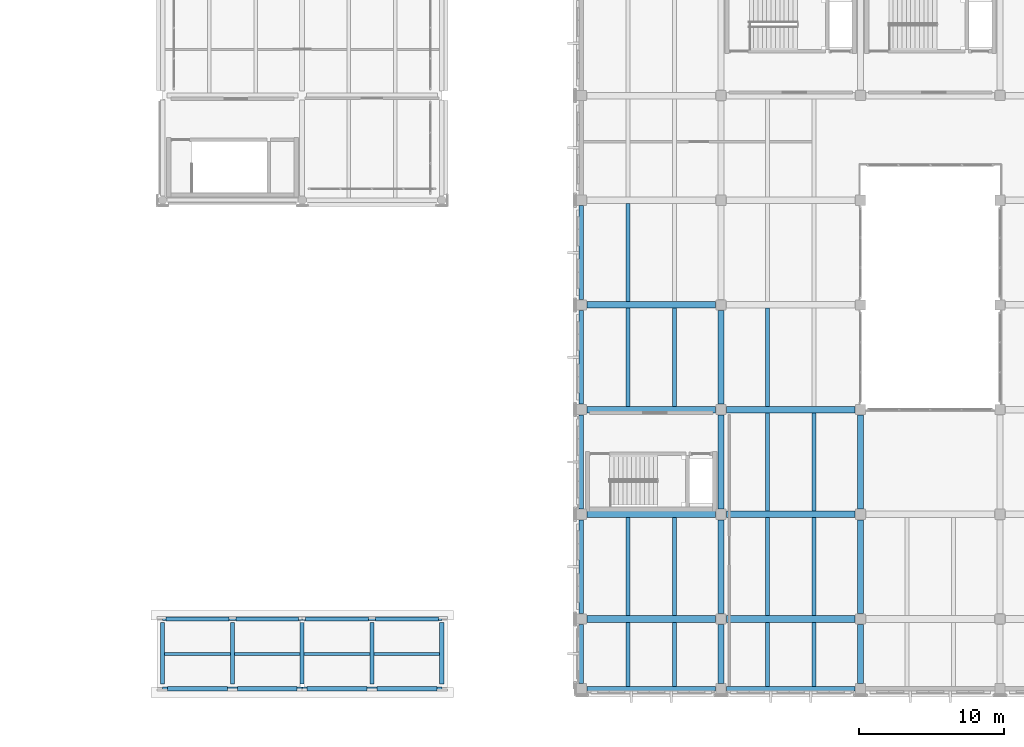
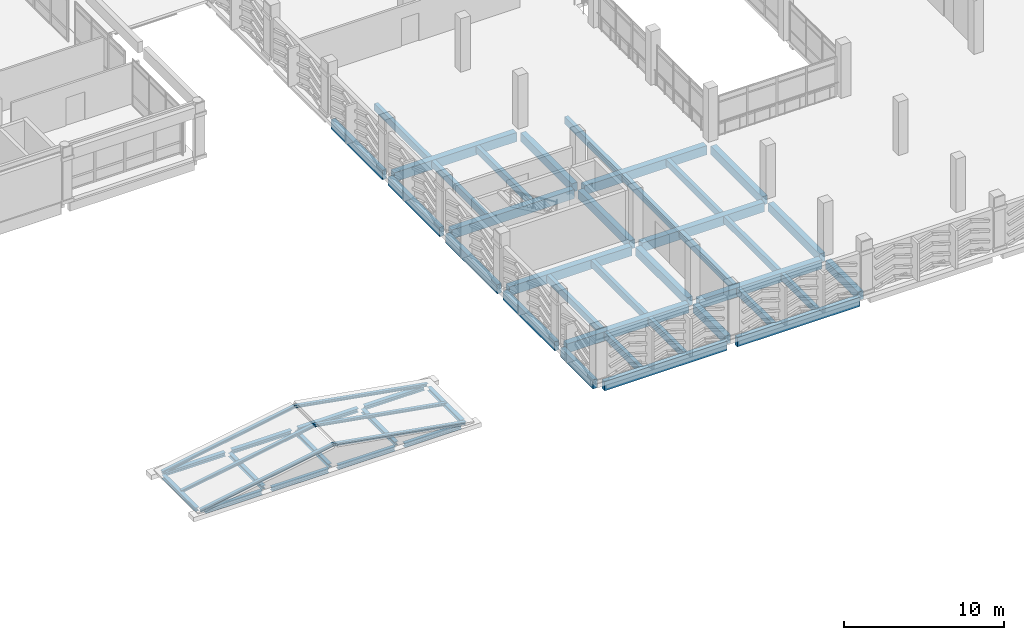
# One storey, part 56 of 180: 48 beams, 6 members.
"""IFC4 building model written with IfcOpenShell, lengths in metres."""

from ifc_helpers import new_model, si_unit, direction, frame, origin, origin_2d, place, context, subcontext, project, spatial, rectangle, i_section, extrude, material, material_profile, profile_set, type_object, element, save


model = new_model("IFC4")

# Units and contexts
model_context = context("Model", 3, precision=1e-05, world=origin(), true_north=direction((0.0, 1.0)))
body_context = subcontext(model_context, "Body", "Model", "MODEL_VIEW")
ifc_project = project(units=[si_unit("LENGTHUNIT", "METRE"), si_unit("AREAUNIT", "SQUARE_METRE"), si_unit("VOLUMEUNIT", "CUBIC_METRE"), si_unit("PLANEANGLEUNIT", "RADIAN"), si_unit("MASSUNIT", "GRAM", prefix="KILO")], contexts=[model_context])

# Site, building, storey
site_placement = place(None, origin())
site = spatial("IfcSite", under=ifc_project, at=site_placement, CompositionType="ELEMENT")
building_placement = place(site_placement, origin())
building = spatial("IfcBuilding", under=site, at=building_placement, Name="Asteropetra Specialist Clinic", CompositionType="ELEMENT")
storey_placement = place(building_placement, frame((0.0, 0.0, 4.419921875)))
storey = spatial("IfcBuildingStorey", under=building, at=storey_placement, Name="L01", CompositionType="ELEMENT", Elevation=4.419921875)

# Beams
ifc_material_1 = material(Name="Concrete C35/45", Category="concrete")
ifc_material_profile_1 = material_profile(ifc_material_1, rectangle(XDim=0.39990234375, YDim=0.64990234375, at=origin_2d()), Name="RCB 400x650")
ifc_profile_set_1 = profile_set([ifc_material_profile_1], Name="Concrete C35/45")
beam_type_1 = type_object("IfcBeamType", Name="BM-RC400x650", PredefinedType="BEAM", material=ifc_profile_set_1)
for number, where, z_axis, x_axis, name in (
    (1, (115.199951171875, 0.375, -0.625), (0.0, 1.0, 0.0), (-1.0, 0.0, 0.0), "Beam BBM07-0442"),
    (2, (124.800048828125, 0.375, -0.625), (0.0, 1.0, 0.0), (-1.0, 0.0, 0.0), "Beam BBM07-0443"),
):
    element("IfcBeam", number, at=place(storey_placement, frame(where, z_axis=z_axis, x_axis=x_axis)), inside=storey, type_object=beam_type_1, Name=name, PredefinedType="BEAM", context=body_context, shape_type="SweptSolid", body=[
        extrude(rectangle(XDim=0.39990234375, YDim=0.64990234375, at=origin_2d()), origin(), (0.0, 0.0, 1.0), 4.050048828125),
    ])
for number, where, z_axis, x_axis, name in (
    (3, (115.199951171875, 5.175048828125, -0.625), (0.0, 1.0, 0.0), (-1.0, 0.0, 0.0), "Beam BBM07-0458"),
    (4, (124.800048828125, 5.175048828125, -0.625), (0.0, 1.0, 0.0), (-1.0, 0.0, 0.0), "Beam BBM07-0459"),
    (5, (115.199951171875, 12.375, -0.625), (0.0, 1.0, 0.0), (-1.0, 0.0, 0.0), "Beam BBM07-0474"),
    (6, (124.800048828125, 12.375, -0.625), (0.0, 1.0, 0.0), (-1.0, 0.0, 0.0), "Beam BBM07-0475"),
    (7, (115.199951171875, 19.574951171875, -0.625), (0.0, 1.0, 0.0), (-1.0, 0.0, 0.0), "Beam BBM07-0486"),
):
    element("IfcBeam", number, at=place(storey_placement, frame(where, z_axis=z_axis, x_axis=x_axis)), inside=storey, type_object=beam_type_1, Name=name, PredefinedType="BEAM", context=body_context, shape_type="SweptSolid", body=[
        extrude(rectangle(XDim=0.39990234375, YDim=0.64990234375, at=origin_2d()), origin(), (0.0, 0.0, 1.0), 6.449951171875),
    ])
ifc_material_2 = material(Name="Concrete C35/45", Category="concrete")
ifc_material_profile_2 = material_profile(ifc_material_2, rectangle(XDim=0.449951171875, YDim=0.699951171875, at=origin_2d()), Name="RCB 450x700")
ifc_profile_set_2 = profile_set([ifc_material_profile_2], Name="Concrete C35/45")
beam_type_2 = type_object("IfcBeamType", Name="BM-RC450x700", PredefinedType="BEAM", material=ifc_profile_set_2)
beam_1_placement = place(storey_placement, frame((105.97509765625, 4.800048828125, -0.64990234375), z_axis=(1.0, 0.0, 0.0), x_axis=(0.0, 1.0, 0.0)))
element("IfcBeam", 8, at=beam_1_placement, inside=storey, type_object=beam_type_2, Name="Beam BBM05-0399", PredefinedType="BEAM", context=body_context, shape_type="SweptSolid", body=[
    extrude(rectangle(XDim=0.449951171875, YDim=0.699951171875, at=origin_2d()), origin(), (0.0, 0.0, 1.0), 8.849853515625),
])
beam_2_placement = place(storey_placement, frame((115.574951171875, 4.800048828125, -0.64990234375), z_axis=(1.0, 0.0, 0.0), x_axis=(0.0, 1.0, 0.0)))
element("IfcBeam", 9, at=beam_2_placement, inside=storey, type_object=beam_type_2, Name="Beam BBM05-0400", PredefinedType="BEAM", context=body_context, shape_type="SweptSolid", body=[
    extrude(rectangle(XDim=0.449951171875, YDim=0.699951171875, at=origin_2d()), origin(), (0.0, 0.0, 1.0), 8.85009765625),
])
beam_3_placement = place(storey_placement, frame((105.97509765625, 12.0, -0.64990234375), z_axis=(1.0, 0.0, 0.0), x_axis=(0.0, 1.0, 0.0)))
element("IfcBeam", 10, at=beam_3_placement, inside=storey, type_object=beam_type_2, Name="Beam BBM05-0404", PredefinedType="BEAM", context=body_context, shape_type="SweptSolid", body=[
    extrude(rectangle(XDim=0.449951171875, YDim=0.699951171875, at=origin_2d()), origin(), (0.0, 0.0, 1.0), 8.849853515625),
])
beam_4_placement = place(storey_placement, frame((115.574951171875, 12.0, -0.64990234375), z_axis=(1.0, 0.0, 0.0), x_axis=(0.0, 1.0, 0.0)))
element("IfcBeam", 11, at=beam_4_placement, inside=storey, type_object=beam_type_2, Name="Beam BBM05-0405", PredefinedType="BEAM", context=body_context, shape_type="SweptSolid", body=[
    extrude(rectangle(XDim=0.449951171875, YDim=0.699951171875, at=origin_2d()), origin(), (0.0, 0.0, 1.0), 8.85009765625),
])
beam_5_placement = place(storey_placement, frame((105.97509765625, 19.199951171875, -0.64990234375), z_axis=(1.0, 0.0, 0.0), x_axis=(0.0, 1.0, 0.0)))
element("IfcBeam", 12, at=beam_5_placement, inside=storey, type_object=beam_type_2, Name="Beam BBM05-0409", PredefinedType="BEAM", context=body_context, shape_type="SweptSolid", body=[
    extrude(rectangle(XDim=0.449951171875, YDim=0.699951171875, at=origin_2d()), origin(), (0.0, 0.0, 1.0), 8.849853515625),
])
beam_6_placement = place(storey_placement, frame((115.574951171875, 19.199951171875, -0.64990234375), z_axis=(1.0, 0.0, 0.0), x_axis=(0.0, 1.0, 0.0)))
element("IfcBeam", 13, at=beam_6_placement, inside=storey, type_object=beam_type_2, Name="Beam BBM05-0410", PredefinedType="BEAM", context=body_context, shape_type="SweptSolid", body=[
    extrude(rectangle(XDim=0.449951171875, YDim=0.699951171875, at=origin_2d()), origin(), (0.0, 0.0, 1.0), 8.85009765625),
])
beam_7_placement = place(storey_placement, frame((105.97509765625, 26.39990234375, -0.64990234375), z_axis=(1.0, 0.0, 0.0), x_axis=(0.0, 1.0, 0.0)))
element("IfcBeam", 14, at=beam_7_placement, inside=storey, type_object=beam_type_2, Name="Beam BBM05-0413", PredefinedType="BEAM", context=body_context, shape_type="SweptSolid", body=[
    extrude(rectangle(XDim=0.449951171875, YDim=0.699951171875, at=origin_2d()), origin(), (0.0, 0.0, 1.0), 8.849853515625),
])
ifc_material_3 = material(Name="Steel S355", Category="steel")
ifc_material_profile_3 = material_profile(ifc_material_3, i_section(OverallWidth=0.280029296875, OverallDepth=0.27001953125, WebThickness=0.008056640625, FlangeThickness=0.012939453125, FilletRadius=0.02392578125, at=origin_2d()), Name="HEA 280")
ifc_profile_set_3 = profile_set([ifc_material_profile_3], Name="Steel S355")
beam_type_3 = type_object("IfcBeamType", Name="BM-STL-HEA280", PredefinedType="BEAM", material=ifc_profile_set_3)
for number, where, z_axis, x_axis, name in (
    (15, (76.800048828125, 0.340087890625, -0.14990234375), (0.0, 1.0, 0.0), (-1.0, 0.0, 0.0), "Portico Cross Tie CT-768"),
    (16, (81.60009765625, 0.340087890625, -0.14990234375), (0.0, 1.0, 0.0), (-1.0, 0.0, 0.0), "Portico Cross Tie CT-816"),
    (17, (86.39990234375, 0.340087890625, -0.14990234375), (0.0, 1.0, 0.0), (-1.0, 0.0, 0.0), "Portico Cross Tie CT-864"),
    (18, (91.199951171875, 0.340087890625, -0.14990234375), (0.0, 1.0, 0.0), (-1.0, 0.0, 0.0), "Portico Cross Tie CT-912"),
    (19, (96.0, 0.340087890625, -0.14990234375), (0.0, 1.0, 0.0), (-1.0, 0.0, 0.0), "Portico Cross Tie CT-960"),
):
    element("IfcBeam", number, at=place(storey_placement, frame(where, z_axis=z_axis, x_axis=x_axis)), inside=storey, type_object=beam_type_3, Name=name, PredefinedType="BEAM", context=body_context, shape_type="SweptSolid", body=[
        extrude(i_section(OverallWidth=0.280029296875, OverallDepth=0.27001953125, WebThickness=0.008056640625, FlangeThickness=0.012939453125, FilletRadius=0.02392578125, at=origin_2d()), origin(), (0.0, 0.0, 1.0), 4.219970703125),
    ])
ifc_material_4 = material(Name="Steel S355", Category="steel")
ifc_material_profile_4 = material_profile(ifc_material_4, i_section(OverallWidth=0.300048828125, OverallDepth=0.2900390625, WebThickness=0.008544921875, FlangeThickness=0.013916015625, FilletRadius=0.027099609375, at=origin_2d()), Name="HEA 300")
ifc_profile_set_4 = profile_set([ifc_material_profile_4], Name="Steel S355")
beam_type_4 = type_object("IfcBeamType", Name="BM-STL-HEA300", PredefinedType="BEAM", material=ifc_profile_set_4)
beam_8_placement = place(storey_placement, frame((77.139892578125, 0.0, -0.14990234375), z_axis=(1.0, 0.0, 0.0), x_axis=(0.0, 1.0, 0.0)))
element("IfcBeam", 20, at=beam_8_placement, inside=storey, type_object=beam_type_4, Name="Portico Architrave Girder CB-76-0", PredefinedType="BEAM", context=body_context, shape_type="SweptSolid", body=[
    extrude(i_section(OverallWidth=0.300048828125, OverallDepth=0.2900390625, WebThickness=0.008544921875, FlangeThickness=0.013916015625, FilletRadius=0.027099609375, at=origin_2d()), origin(), (0.0, 0.0, 1.0), 4.1201171875),
])
beam_9_placement = place(storey_placement, frame((77.0400390625, 4.800048828125, -0.14990234375), z_axis=(1.0, 0.0, 0.0), x_axis=(0.0, 1.0, 0.0)))
element("IfcBeam", 21, at=beam_9_placement, inside=storey, type_object=beam_type_4, Name="Portico Architrave Girder CB-76-4", PredefinedType="BEAM", context=body_context, shape_type="SweptSolid", body=[
    extrude(i_section(OverallWidth=0.300048828125, OverallDepth=0.2900390625, WebThickness=0.008544921875, FlangeThickness=0.013916015625, FilletRadius=0.027099609375, at=origin_2d()), origin(), (0.0, 0.0, 1.0), 4.320068359375),
])
beam_10_placement = place(storey_placement, frame((81.93994140625, 0.0, -0.14990234375), z_axis=(1.0, 0.0, 0.0), x_axis=(0.0, 1.0, 0.0)))
element("IfcBeam", 22, at=beam_10_placement, inside=storey, type_object=beam_type_4, Name="Portico Architrave Girder CB-81-0", PredefinedType="BEAM", context=body_context, shape_type="SweptSolid", body=[
    extrude(i_section(OverallWidth=0.300048828125, OverallDepth=0.2900390625, WebThickness=0.008544921875, FlangeThickness=0.013916015625, FilletRadius=0.027099609375, at=origin_2d()), origin(), (0.0, 0.0, 1.0), 4.1201171875),
])
beam_11_placement = place(storey_placement, frame((81.840087890625, 4.800048828125, -0.14990234375), z_axis=(1.0, 0.0, 0.0), x_axis=(0.0, 1.0, 0.0)))
element("IfcBeam", 23, at=beam_11_placement, inside=storey, type_object=beam_type_4, Name="Portico Architrave Girder CB-81-4", PredefinedType="BEAM", context=body_context, shape_type="SweptSolid", body=[
    extrude(i_section(OverallWidth=0.300048828125, OverallDepth=0.2900390625, WebThickness=0.008544921875, FlangeThickness=0.013916015625, FilletRadius=0.027099609375, at=origin_2d()), origin(), (0.0, 0.0, 1.0), 4.31982421875),
])
beam_12_placement = place(storey_placement, frame((86.739990234375, 0.0, -0.14990234375), z_axis=(1.0, 0.0, 0.0), x_axis=(0.0, 1.0, 0.0)))
element("IfcBeam", 24, at=beam_12_placement, inside=storey, type_object=beam_type_4, Name="Portico Architrave Girder CB-86-0", PredefinedType="BEAM", context=body_context, shape_type="SweptSolid", body=[
    extrude(i_section(OverallWidth=0.300048828125, OverallDepth=0.2900390625, WebThickness=0.008544921875, FlangeThickness=0.013916015625, FilletRadius=0.027099609375, at=origin_2d()), origin(), (0.0, 0.0, 1.0), 4.1201171875),
])
beam_13_placement = place(storey_placement, frame((86.639892578125, 4.800048828125, -0.14990234375), z_axis=(1.0, 0.0, 0.0), x_axis=(0.0, 1.0, 0.0)))
element("IfcBeam", 25, at=beam_13_placement, inside=storey, type_object=beam_type_4, Name="Portico Architrave Girder CB-86-4", PredefinedType="BEAM", context=body_context, shape_type="SweptSolid", body=[
    extrude(i_section(OverallWidth=0.300048828125, OverallDepth=0.2900390625, WebThickness=0.008544921875, FlangeThickness=0.013916015625, FilletRadius=0.027099609375, at=origin_2d()), origin(), (0.0, 0.0, 1.0), 4.320068359375),
])
beam_14_placement = place(storey_placement, frame((91.5400390625, 0.0, -0.14990234375), z_axis=(1.0, 0.0, 0.0), x_axis=(0.0, 1.0, 0.0)))
element("IfcBeam", 26, at=beam_14_placement, inside=storey, type_object=beam_type_4, Name="Portico Architrave Girder CB-91-0", PredefinedType="BEAM", context=body_context, shape_type="SweptSolid", body=[
    extrude(i_section(OverallWidth=0.300048828125, OverallDepth=0.2900390625, WebThickness=0.008544921875, FlangeThickness=0.013916015625, FilletRadius=0.027099609375, at=origin_2d()), origin(), (0.0, 0.0, 1.0), 4.119873046875),
])
beam_15_placement = place(storey_placement, frame((91.43994140625, 4.800048828125, -0.14990234375), z_axis=(1.0, 0.0, 0.0), x_axis=(0.0, 1.0, 0.0)))
element("IfcBeam", 27, at=beam_15_placement, inside=storey, type_object=beam_type_4, Name="Portico Architrave Girder CB-91-4", PredefinedType="BEAM", context=body_context, shape_type="SweptSolid", body=[
    extrude(i_section(OverallWidth=0.300048828125, OverallDepth=0.2900390625, WebThickness=0.008544921875, FlangeThickness=0.013916015625, FilletRadius=0.027099609375, at=origin_2d()), origin(), (0.0, 0.0, 1.0), 4.320068359375),
])
ifc_material_5 = material(Name="Concrete C35/45", Category="concrete")
ifc_material_profile_5 = material_profile(ifc_material_5, rectangle(XDim=0.280029296875, YDim=0.52001953125, at=origin_2d()), Name="RCJ 280x520")
ifc_profile_set_5 = profile_set([ifc_material_profile_5], Name="Concrete C35/45")
beam_type_5 = type_object("IfcBeamType", Name="JST-RC280x520", PredefinedType="JOIST", material=ifc_profile_set_5)
for number, where, z_axis, x_axis, name in (
    (28, (108.800048828125, 0.159912109375, -0.559814453125), (0.0, 1.0, 0.0), (-1.0, 0.0, 0.0), "Joist JJST01-0447"),
    (29, (112.0, 0.159912109375, -0.559814453125), (0.0, 1.0, 0.0), (-1.0, 0.0, 0.0), "Joist JJST01-0448"),
    (30, (118.39990234375, 0.159912109375, -0.559814453125), (0.0, 1.0, 0.0), (-1.0, 0.0, 0.0), "Joist JJST01-0449"),
    (31, (121.60009765625, 0.159912109375, -0.559814453125), (0.0, 1.0, 0.0), (-1.0, 0.0, 0.0), "Joist JJST01-0450"),
):
    element("IfcBeam", number, at=place(storey_placement, frame(where, z_axis=z_axis, x_axis=x_axis)), inside=storey, type_object=beam_type_5, Name=name, PredefinedType="JOIST", context=body_context, shape_type="SweptSolid", body=[
        extrude(rectangle(XDim=0.280029296875, YDim=0.52001953125, at=origin_2d()), origin(), (0.0, 0.0, 1.0), 4.4150390625),
    ])
for number, where, z_axis, x_axis, name in (
    (32, (108.800048828125, 5.02490234375, -0.559814453125), (0.0, 1.0, 0.0), (-1.0, 0.0, 0.0), "Joist JJST01-0463"),
    (33, (112.0, 5.02490234375, -0.559814453125), (0.0, 1.0, 0.0), (-1.0, 0.0, 0.0), "Joist JJST01-0464"),
    (34, (118.39990234375, 5.02490234375, -0.559814453125), (0.0, 1.0, 0.0), (-1.0, 0.0, 0.0), "Joist JJST01-0465"),
    (35, (121.60009765625, 5.02490234375, -0.559814453125), (0.0, 1.0, 0.0), (-1.0, 0.0, 0.0), "Joist JJST01-0466"),
    (36, (118.39990234375, 12.22509765625, -0.559814453125), (0.0, 1.0, 0.0), (-1.0, 0.0, 0.0), "Joist JJST01-0479"),
    (37, (121.60009765625, 12.22509765625, -0.559814453125), (0.0, 1.0, 0.0), (-1.0, 0.0, 0.0), "Joist JJST01-0480"),
    (38, (108.800048828125, 19.425048828125, -0.559814453125), (0.0, 1.0, 0.0), (-1.0, 0.0, 0.0), "Joist JJST01-0489"),
    (39, (112.0, 19.425048828125, -0.559814453125), (0.0, 1.0, 0.0), (-1.0, 0.0, 0.0), "Joist JJST01-0490"),
    (40, (118.39990234375, 19.425048828125, -0.559814453125), (0.0, 1.0, 0.0), (-1.0, 0.0, 0.0), "Joist JJST01-0491"),
    (41, (108.800048828125, 26.625, -0.559814453125), (0.0, 1.0, 0.0), (-1.0, 0.0, 0.0), "Joist JJST01-0501"),
):
    element("IfcBeam", number, at=place(storey_placement, frame(where, z_axis=z_axis, x_axis=x_axis)), inside=storey, type_object=beam_type_5, Name=name, PredefinedType="JOIST", context=body_context, shape_type="SweptSolid", body=[
        extrude(rectangle(XDim=0.280029296875, YDim=0.52001953125, at=origin_2d()), origin(), (0.0, 0.0, 1.0), 6.75),
    ])
ifc_material_6 = material(Name="Concrete C35/45", Category="concrete")
ifc_material_profile_6 = material_profile(ifc_material_6, rectangle(XDim=0.320068359375, YDim=0.699951171875, at=origin_2d()), Name="RCS 320x700")
ifc_profile_set_6 = profile_set([ifc_material_profile_6], Name="Concrete C35/45")
beam_type_6 = type_object("IfcBeamType", Name="SPN-RC320x700", PredefinedType="SPANDREL", material=ifc_profile_set_6)
beam_16_placement = place(storey_placement, frame((105.97509765625, 0.0, -0.64990234375), z_axis=(1.0, 0.0, 0.0), x_axis=(0.0, 1.0, 0.0)))
element("IfcBeam", 42, at=beam_16_placement, inside=storey, type_object=beam_type_6, Name="Beam BSPN02-0394", PredefinedType="SPANDREL", context=body_context, shape_type="SweptSolid", body=[
    extrude(rectangle(XDim=0.320068359375, YDim=0.699951171875, at=origin_2d()), origin(), (0.0, 0.0, 1.0), 8.849853515625),
])
beam_17_placement = place(storey_placement, frame((115.574951171875, 0.0, -0.64990234375), z_axis=(1.0, 0.0, 0.0), x_axis=(0.0, 1.0, 0.0)))
element("IfcBeam", 43, at=beam_17_placement, inside=storey, type_object=beam_type_6, Name="Beam BSPN02-0395", PredefinedType="SPANDREL", context=body_context, shape_type="SweptSolid", body=[
    extrude(rectangle(XDim=0.320068359375, YDim=0.699951171875, at=origin_2d()), origin(), (0.0, 0.0, 1.0), 8.85009765625),
])
beam_18_placement = place(storey_placement, frame((105.60009765625, 0.375, -0.64990234375), z_axis=(0.0, 1.0, 0.0), x_axis=(-1.0, 0.0, 0.0)))
element("IfcBeam", 44, at=beam_18_placement, inside=storey, type_object=beam_type_6, Name="Beam BSPN02-0441", PredefinedType="SPANDREL", context=body_context, shape_type="SweptSolid", body=[
    extrude(rectangle(XDim=0.320068359375, YDim=0.699951171875, at=origin_2d()), origin(), (0.0, 0.0, 1.0), 4.050048828125),
])
for number, where, z_axis, x_axis, name in (
    (45, (105.60009765625, 5.175048828125, -0.64990234375), (0.0, 1.0, 0.0), (-1.0, 0.0, 0.0), "Beam BSPN02-0457"),
    (46, (105.60009765625, 12.375, -0.64990234375), (0.0, 1.0, 0.0), (-1.0, 0.0, 0.0), "Beam BSPN02-0473"),
    (47, (105.60009765625, 19.574951171875, -0.64990234375), (0.0, 1.0, 0.0), (-1.0, 0.0, 0.0), "Beam BSPN02-0485"),
):
    element("IfcBeam", number, at=place(storey_placement, frame(where, z_axis=z_axis, x_axis=x_axis)), inside=storey, type_object=beam_type_6, Name=name, PredefinedType="SPANDREL", context=body_context, shape_type="SweptSolid", body=[
        extrude(rectangle(XDim=0.320068359375, YDim=0.699951171875, at=origin_2d()), origin(), (0.0, 0.0, 1.0), 6.449951171875),
    ])
beam_19_placement = place(storey_placement, frame((105.60009765625, 26.77490234375, -0.64990234375), z_axis=(0.0, 1.0, 0.0), x_axis=(-1.0, 0.0, 0.0)))
element("IfcBeam", 48, at=beam_19_placement, inside=storey, type_object=beam_type_6, Name="Beam BSPN02-0497", PredefinedType="SPANDREL", context=body_context, shape_type="SweptSolid", body=[
    extrude(rectangle(XDim=0.320068359375, YDim=0.699951171875, at=origin_2d()), origin(), (0.0, 0.0, 1.0), 6.4501953125),
])

# Members
ifc_material_7 = material(Name="Steel S355", Category="steel")
ifc_material_profile_7 = material_profile(ifc_material_7, i_section(OverallWidth=0.219970703125, OverallDepth=0.2099609375, WebThickness=0.007080078125, FlangeThickness=0.010986328125, FilletRadius=0.01806640625, at=origin_2d()), Name="HEA 220")
ifc_profile_set_7 = profile_set([ifc_material_profile_7], Name="Steel S355")
member_type = type_object("IfcMemberType", Name="TR-RAF-HEA220", PredefinedType="RAFTER", material=ifc_profile_set_7)
member_1_placement = place(storey_placement, frame((76.800048828125, 0.0, 0.0), z_axis=(0.985026957697, 0.0, 0.1724003846), x_axis=(0.0, 1.0, 0.0)))
element("IfcMember", 49, at=member_1_placement, inside=storey, type_object=member_type, Name="Portico West Rafter CRW-0", PredefinedType="RAFTER", context=body_context, shape_type="SweptSolid", body=[
    extrude(i_section(OverallWidth=0.219970703125, OverallDepth=0.2099609375, WebThickness=0.007080078125, FlangeThickness=0.010986328125, FilletRadius=0.01806640625, at=origin_2d()), origin(), (0.0, 0.0, 1.0), 9.745849609375),
])
member_2_placement = place(storey_placement, frame((86.39990234375, 0.0, 1.68017578125), z_axis=(0.98502770223, 0.0, -0.172396130582), x_axis=(0.0, 1.0, 0.0)))
element("IfcMember", 50, at=member_2_placement, inside=storey, type_object=member_type, Name="Portico East Rafter CRE-0", PredefinedType="RAFTER", context=body_context, shape_type="SweptSolid", body=[
    extrude(i_section(OverallWidth=0.219970703125, OverallDepth=0.2099609375, WebThickness=0.007080078125, FlangeThickness=0.010986328125, FilletRadius=0.01806640625, at=origin_2d()), origin(), (0.0, 0.0, 1.0), 9.74609375),
])
member_3_placement = place(storey_placement, frame((76.800048828125, 2.39990234375, 0.0), z_axis=(0.985026957697, 0.0, 0.1724003846), x_axis=(0.0, 1.0, 0.0)))
element("IfcMember", 51, at=member_3_placement, inside=storey, type_object=member_type, Name="Portico West Rafter CRW-24", PredefinedType="RAFTER", context=body_context, shape_type="SweptSolid", body=[
    extrude(i_section(OverallWidth=0.219970703125, OverallDepth=0.2099609375, WebThickness=0.007080078125, FlangeThickness=0.010986328125, FilletRadius=0.01806640625, at=origin_2d()), origin(), (0.0, 0.0, 1.0), 9.745849609375),
])
member_4_placement = place(storey_placement, frame((86.39990234375, 2.39990234375, 1.68017578125), z_axis=(0.98502770223, 0.0, -0.172396130582), x_axis=(0.0, 1.0, 0.0)))
element("IfcMember", 52, at=member_4_placement, inside=storey, type_object=member_type, Name="Portico East Rafter CRE-24", PredefinedType="RAFTER", context=body_context, shape_type="SweptSolid", body=[
    extrude(i_section(OverallWidth=0.219970703125, OverallDepth=0.2099609375, WebThickness=0.007080078125, FlangeThickness=0.010986328125, FilletRadius=0.01806640625, at=origin_2d()), origin(), (0.0, 0.0, 1.0), 9.74609375),
])
member_5_placement = place(storey_placement, frame((76.800048828125, 4.800048828125, 0.0), z_axis=(0.985026957697, 0.0, 0.1724003846), x_axis=(0.0, 1.0, 0.0)))
element("IfcMember", 53, at=member_5_placement, inside=storey, type_object=member_type, Name="Portico West Rafter CRW-48", PredefinedType="RAFTER", context=body_context, shape_type="SweptSolid", body=[
    extrude(i_section(OverallWidth=0.219970703125, OverallDepth=0.2099609375, WebThickness=0.007080078125, FlangeThickness=0.010986328125, FilletRadius=0.01806640625, at=origin_2d()), origin(), (0.0, 0.0, 1.0), 9.745849609375),
])
member_6_placement = place(storey_placement, frame((86.39990234375, 4.800048828125, 1.68017578125), z_axis=(0.98502770223, 0.0, -0.172396130582), x_axis=(0.0, 1.0, 0.0)))
element("IfcMember", 54, at=member_6_placement, inside=storey, type_object=member_type, Name="Portico East Rafter CRE-48", PredefinedType="RAFTER", context=body_context, shape_type="SweptSolid", body=[
    extrude(i_section(OverallWidth=0.219970703125, OverallDepth=0.2099609375, WebThickness=0.007080078125, FlangeThickness=0.010986328125, FilletRadius=0.01806640625, at=origin_2d()), origin(), (0.0, 0.0, 1.0), 9.74609375),
])

save(model, "model.ifc")
